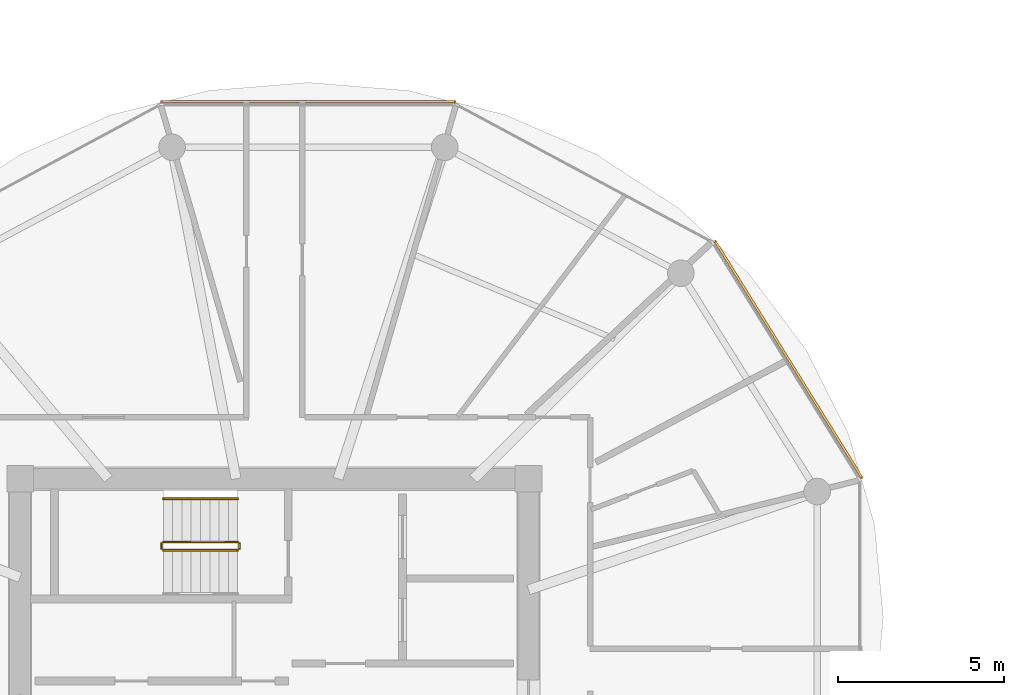
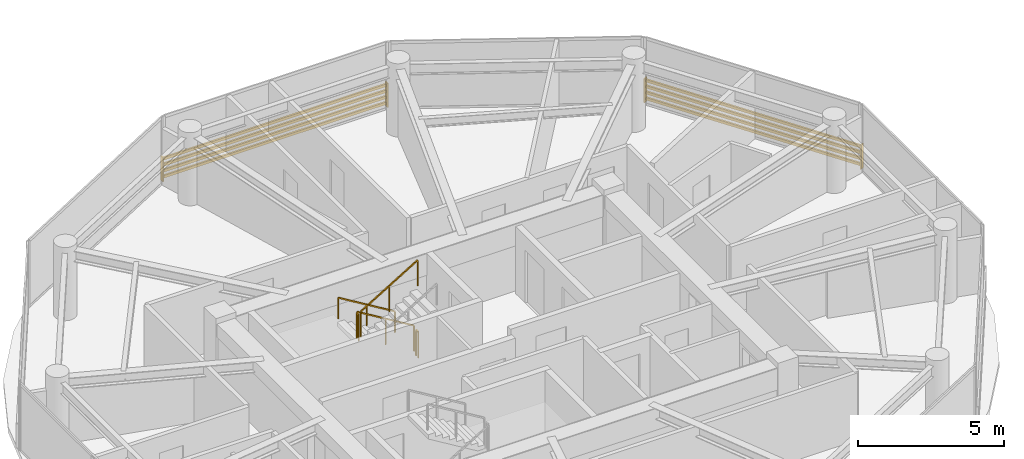
# One storey, part 20 of 22: 5 railings, 2 shading devices.
"""IFC4 building model written with IfcOpenShell, lengths in metres."""

from ifc_helpers import new_model, si_unit, direction, frame, origin, origin_2d, place, context, subcontext, project, spatial, rectangle, extrude, source, transform, mapped, material, type_object, type_shapes, element, save


model = new_model("IFC4")

# Units and contexts
model_context = context("Model", 3, precision=1e-05, world=origin(), true_north=direction((0.0, 1.0)))
body_context = subcontext(model_context, "Body", "Model", "MODEL_VIEW")
ifc_project = project(units=[si_unit("LENGTHUNIT", "METRE"), si_unit("AREAUNIT", "SQUARE_METRE"), si_unit("VOLUMEUNIT", "CUBIC_METRE"), si_unit("PLANEANGLEUNIT", "RADIAN"), si_unit("MASSUNIT", "GRAM", prefix="KILO")], contexts=[model_context])

# Site, building, storey
site_placement = place(None, origin())
site = spatial("IfcSite", under=ifc_project, at=site_placement, CompositionType="ELEMENT")
building_placement = place(site_placement, origin())
building = spatial("IfcBuilding", under=site, at=building_placement, Name="Norrkilde Senior Care Towers", CompositionType="ELEMENT")
storey_placement = place(building_placement, frame((0.0, 0.0, 167.85009765625)))
storey = spatial("IfcBuildingStorey", under=building, at=storey_placement, Name="L52", CompositionType="ELEMENT", Elevation=167.85009765625)

# Railings
ifc_material_1 = material(Name="Stainless Steel", Category="steel")
railing_type_1 = type_object("IfcRailingType", Name="Stair and Terrace Guardrail 1100", PredefinedType="GUARDRAIL", material=ifc_material_1)
railing_1_placement = place(storey_placement, frame((-29.10009765625, 4.050048828125, 0.16943359375)))
element("IfcRailing", 1, at=railing_1_placement, inside=storey, type_object=railing_type_1, Name="L52 ST-W1 stair guard 1", PredefinedType="GUARDRAIL", context=body_context, shape_type="SweptSolid", body=[
    extrude(rectangle(XDim=0.048095703125, YDim=0.048095703125, at=origin_2d()), frame((0.0, 0.0, 1.076171875), z_axis=(-0.855553338991, 0.0, 0.51771467445), x_axis=(0.0, -1.0, 0.0)), (0.0, 0.0, 1.0), 2.6181640625),
    extrude(rectangle(XDim=0.0419921875, YDim=0.0419921875, at=origin_2d()), origin(), (0.0, 0.0, 1.0), 1.050048828125),
    extrude(rectangle(XDim=0.0419921875, YDim=0.0419921875, at=origin_2d()), frame((-1.1201171875, 0.0, 0.677734375)), (0.0, 0.0, 1.0), 1.050048828125),
    extrude(rectangle(XDim=0.0419921875, YDim=0.0419921875, at=origin_2d()), frame((-2.239990234375, 0.0, 1.35546875)), (0.0, 0.0, 1.0), 1.050048828125),
])
railing_2_placement = place(storey_placement, frame((-31.389892578125, 4.0, 1.52490234375)))
element("IfcRailing", 2, at=railing_2_placement, inside=storey, type_object=railing_type_1, Name="L52 ST-W1 stair guard 2", PredefinedType="GUARDRAIL", context=body_context, shape_type="SweptSolid", body=[
    extrude(rectangle(XDim=0.048095703125, YDim=0.048095703125, at=origin_2d()), frame((0.0, 0.0, 1.076171875), z_axis=(0.0, -1.0, 0.0), x_axis=(1.0, 0.0, 0.0)), (0.0, 0.0, 1.0), 0.14990234375),
    extrude(rectangle(XDim=0.0419921875, YDim=0.0419921875, at=origin_2d()), origin(), (0.0, 0.0, 1.0), 1.050048828125),
    extrude(rectangle(XDim=0.0419921875, YDim=0.0419921875, at=origin_2d()), frame((0.0, -0.14990234375, 0.0)), (0.0, 0.0, 1.0), 1.050048828125),
])
railing_3_placement = place(storey_placement, frame((-31.340087890625, 3.800048828125, 1.6943359375)))
element("IfcRailing", 3, at=railing_3_placement, inside=storey, type_object=railing_type_1, Name="L52 ST-W1 stair guard 3", PredefinedType="GUARDRAIL", context=body_context, shape_type="SweptSolid", body=[
    extrude(rectangle(XDim=0.048095703125, YDim=0.048095703125, at=origin_2d()), frame((0.0, 0.0, 1.076171875), z_axis=(0.855553338991, 0.0, 0.51771467445), x_axis=(0.0, 1.0, 0.0)), (0.0, 0.0, 1.0), 2.6181640625),
    extrude(rectangle(XDim=0.0419921875, YDim=0.0419921875, at=origin_2d()), origin(), (0.0, 0.0, 1.0), 1.050048828125),
    extrude(rectangle(XDim=0.0419921875, YDim=0.0419921875, at=origin_2d()), frame((1.1201171875, 0.0, 0.677734375)), (0.0, 0.0, 1.0), 1.050048828125),
    extrude(rectangle(XDim=0.0419921875, YDim=0.0419921875, at=origin_2d()), frame((2.239990234375, 0.0, 1.35546875)), (0.0, 0.0, 1.0), 1.050048828125),
])
railing_4_placement = place(storey_placement, frame((-29.050048828125, 4.0, 0.0)))
element("IfcRailing", 4, at=railing_4_placement, inside=storey, type_object=railing_type_1, Name="L52 ST-W1 stair guard 4", PredefinedType="GUARDRAIL", context=body_context, shape_type="SweptSolid", body=[
    extrude(rectangle(XDim=0.048095703125, YDim=0.048095703125, at=origin_2d()), frame((0.0, 0.0, 1.076171875), z_axis=(0.0, -1.0, 0.0), x_axis=(1.0, 0.0, 0.0)), (0.0, 0.0, 1.0), 0.14990234375),
    extrude(rectangle(XDim=0.0419921875, YDim=0.0419921875, at=origin_2d()), origin(), (0.0, 0.0, 1.0), 1.050048828125),
    extrude(rectangle(XDim=0.0419921875, YDim=0.0419921875, at=origin_2d()), frame((0.0, -0.14990234375, 0.0)), (0.0, 0.0, 1.0), 1.050048828125),
])
ifc_material_2 = material(Name="Nordic Ash Timber", Category="wood")
railing_type_2 = type_object("IfcRailingType", Name="Wall and Stair Handrail 900", PredefinedType="HANDRAIL", material=ifc_material_2)
railing_5_placement = place(storey_placement, frame((-29.10009765625, 5.35009765625, 0.16943359375)))
element("IfcRailing", 5, at=railing_5_placement, inside=storey, type_object=railing_type_2, Name="L52 ST-W1 stair handrail 1", PredefinedType="HANDRAIL", context=body_context, shape_type="SweptSolid", body=[
    extrude(rectangle(XDim=0.048095703125, YDim=0.048095703125, at=origin_2d()), frame((0.0, 0.0, 0.8759765625), z_axis=(-0.855553338991, 0.0, 0.51771467445), x_axis=(0.0, -1.0, 0.0)), (0.0, 0.0, 1.0), 2.6181640625),
    extrude(rectangle(XDim=0.0419921875, YDim=0.0419921875, at=origin_2d()), origin(), (0.0, 0.0, 1.0), 0.849853515625),
    extrude(rectangle(XDim=0.0419921875, YDim=0.0419921875, at=origin_2d()), frame((-1.1201171875, 0.0, 0.677734375)), (0.0, 0.0, 1.0), 0.849853515625),
    extrude(rectangle(XDim=0.0419921875, YDim=0.0419921875, at=origin_2d()), frame((-2.239990234375, 0.0, 1.35546875)), (0.0, 0.0, 1.0), 0.849853515625),
])

# Shading devices
ifc_material_3 = material(Name="Architectural Terracotta", Category="masonry")
shading_device_type = type_object("IfcShadingDeviceType", Name="Horizontal Terracotta Baguette Rack", PredefinedType="USERDEFINED", material=ifc_material_3)
shared_shape_1 = source(origin(), body_context, "Body", "SweptSolid", [
    extrude(rectangle(XDim=0.070068359375, YDim=0.110107421875, at=origin_2d()), frame((0.0, 0.090087890625, 0.125), z_axis=(1.0, 0.0, 0.0), x_axis=(0.0, 1.0, 0.0)), (0.0, 0.0, 1.0), 8.89306640625),
    extrude(rectangle(XDim=0.070068359375, YDim=0.110107421875, at=origin_2d()), frame((0.0, 0.090087890625, 0.375), z_axis=(1.0, 0.0, 0.0), x_axis=(0.0, 1.0, 0.0)), (0.0, 0.0, 1.0), 8.89306640625),
    extrude(rectangle(XDim=0.070068359375, YDim=0.110107421875, at=origin_2d()), frame((0.0, 0.090087890625, 0.625), z_axis=(1.0, 0.0, 0.0), x_axis=(0.0, 1.0, 0.0)), (0.0, 0.0, 1.0), 8.89306640625),
    extrude(rectangle(XDim=0.070068359375, YDim=0.110107421875, at=origin_2d()), frame((0.0, 0.090087890625, 0.875), z_axis=(1.0, 0.0, 0.0), x_axis=(0.0, 1.0, 0.0)), (0.0, 0.0, 1.0), 8.89306640625),
    extrude(rectangle(XDim=0.050048828125, YDim=0.1552734375, at=origin_2d()), frame((0.02490234375, 0.047607421875, 0.0)), (0.0, 0.0, 1.0), 1.0),
    extrude(rectangle(XDim=0.050048828125, YDim=0.1552734375, at=origin_2d()), frame((8.8681640625, 0.047607421875, 0.0)), (0.0, 0.0, 1.0), 1.0),
])
shading_device_1_placement = place(storey_placement, frame((-31.421630859375, 17.2109375, 0.079833984375), z_axis=(0.0, 0.0, 1.0), x_axis=(1.0, 0.0, 0.0)))
element("IfcShadingDevice", 6, at=shading_device_1_placement, inside=storey, type_object=shading_device_type, Name="L52 Drum W Terracotta Baguette Screen 02", ObjectType="BAGUETTE", PredefinedType="USERDEFINED", context=body_context, shape_type="MappedRepresentation", body=[
    mapped(shared_shape_1, transform((0.0, 0.0, 0.0), x_axis=(1.0, 0.0, 0.0), y_axis=(0.0, 1.0, 0.0), z_axis=(0.0, 0.0, 1.0), scale=1.0)),
])
shared_shape_2 = source(origin(), body_context, "Body", "SweptSolid", [
    extrude(rectangle(XDim=0.070068359375, YDim=0.110107421875, at=origin_2d()), frame((0.0, 0.090087890625, 0.125), z_axis=(1.0, 0.0, 0.0), x_axis=(0.0, 1.0, 0.0)), (0.0, 0.0, 1.0), 8.431396484375),
    extrude(rectangle(XDim=0.070068359375, YDim=0.110107421875, at=origin_2d()), frame((0.0, 0.090087890625, 0.375), z_axis=(1.0, 0.0, 0.0), x_axis=(0.0, 1.0, 0.0)), (0.0, 0.0, 1.0), 8.431396484375),
    extrude(rectangle(XDim=0.070068359375, YDim=0.110107421875, at=origin_2d()), frame((0.0, 0.090087890625, 0.625), z_axis=(1.0, 0.0, 0.0), x_axis=(0.0, 1.0, 0.0)), (0.0, 0.0, 1.0), 8.431396484375),
    extrude(rectangle(XDim=0.070068359375, YDim=0.110107421875, at=origin_2d()), frame((0.0, 0.090087890625, 0.875), z_axis=(1.0, 0.0, 0.0), x_axis=(0.0, 1.0, 0.0)), (0.0, 0.0, 1.0), 8.431396484375),
    extrude(rectangle(XDim=0.050048828125, YDim=0.1552734375, at=origin_2d()), frame((0.02490234375, 0.047607421875, 0.0)), (0.0, 0.0, 1.0), 1.0),
    extrude(rectangle(XDim=0.050048828125, YDim=0.1552734375, at=origin_2d()), frame((8.40625, 0.047607421875, 0.0)), (0.0, 0.0, 1.0), 1.0),
])
type_shapes(shading_device_type, [shared_shape_1, shared_shape_2])
shading_device_2_placement = place(storey_placement, frame((-14.826904296875, 13.074951171875, 0.079833984375), z_axis=(0.0, 0.0, 1.0), x_axis=(0.527378022296, -0.849630809324, 0.0)))
element("IfcShadingDevice", 7, at=shading_device_2_placement, inside=storey, type_object=shading_device_type, Name="L52 Drum W Terracotta Baguette Screen 00", ObjectType="BAGUETTE", PredefinedType="USERDEFINED", context=body_context, shape_type="MappedRepresentation", body=[
    mapped(shared_shape_2, transform((0.0, 0.0, 0.0), x_axis=(1.0, 0.0, 0.0), y_axis=(0.0, 1.0, 0.0), z_axis=(0.0, 0.0, 1.0), scale=1.0)),
])

save(model, "model.ifc")
